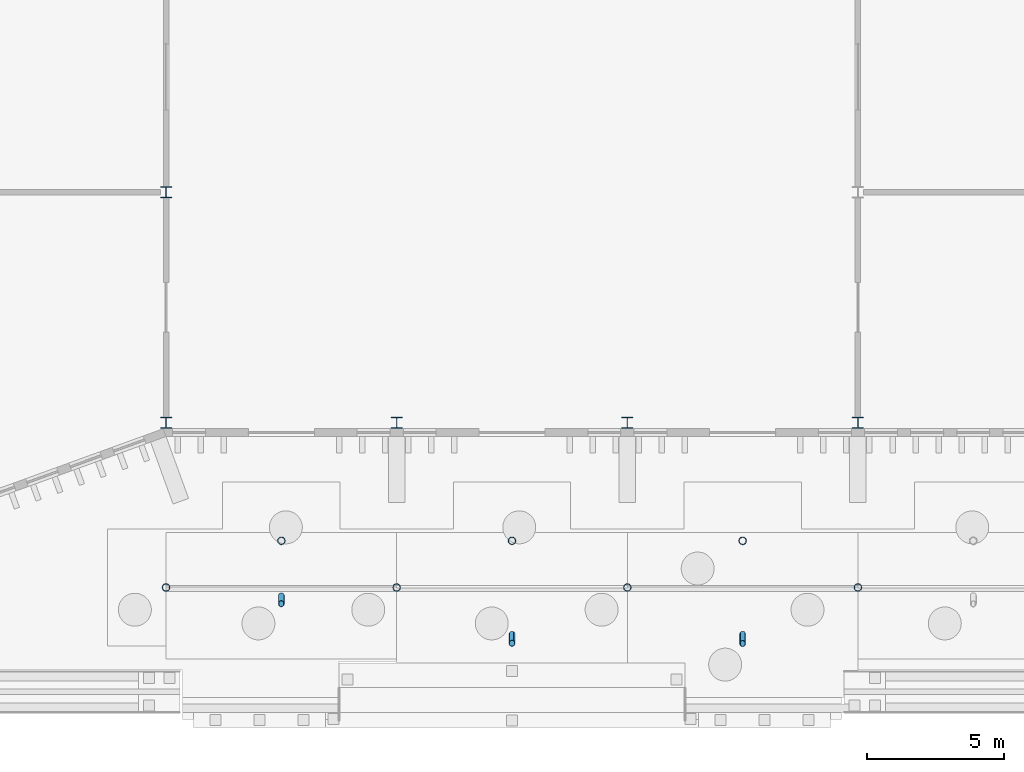
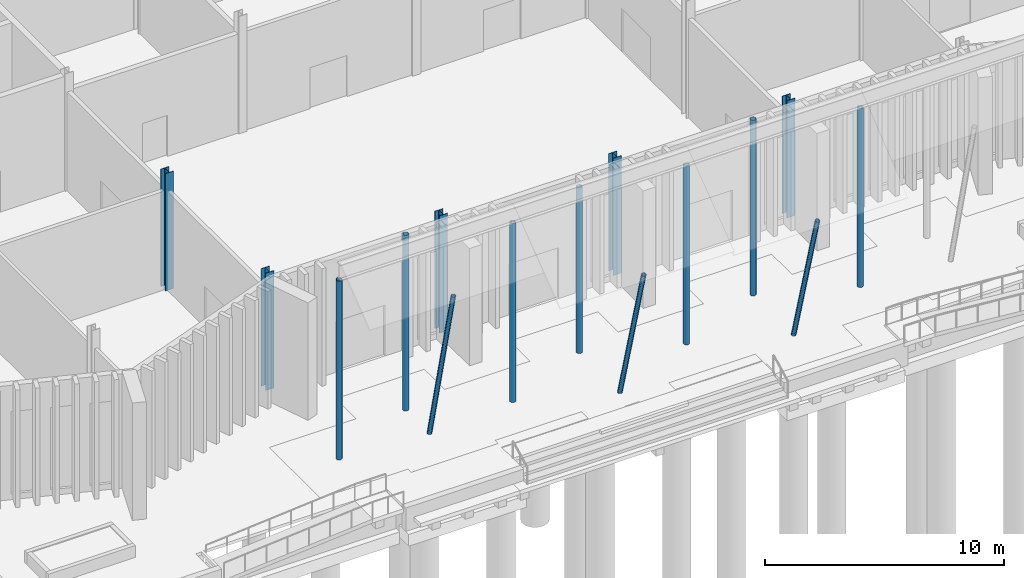
# One storey, part 16 of 108: 15 columns.
"""IFC4 building model written with IfcOpenShell, lengths in metres."""

import ifcopenshell
import ifcopenshell.guid

model = None  # the IFC model being written
_history = None  # IfcOwnerHistory: only IFC2X3 demands one
_inside = {}  # id of a spatial element -> (the spatial element, [elements in it])
_under = {}  # id of a project, library or spatial element -> (it, [spatial elements below it])
_declared = {}  # id of a project -> (the project, [libraries it declares])
_typed = {}  # id of a type object -> (the type object, [elements of that type])
_made_of = {}  # id of a material, layer set ... -> (it, [elements and type objects made of it])


def new_model(schema):
    """Start an empty IFC model of exactly this schema.

    Asked for "IFC4X3", IfcOpenShell would pick the latest addendum, in which some entities
    have other attributes; the version numbers below select the first issue.
    IFC2X3 requires an IfcOwnerHistory on every rooted entity: one is made here for all.
    """
    global model, _history
    if schema == "IFC4X3":
        model = ifcopenshell.file(schema_version=(4, 3, 0, 0))
    else:
        model = ifcopenshell.file(schema=schema)
    _inside.clear()
    _under.clear()
    _declared.clear()
    _typed.clear()
    _made_of.clear()
    _history = None
    if model.schema == "IFC2X3":
        org = make("IfcOrganization", Name="unknown")
        user = make(
            "IfcPersonAndOrganization",
            ThePerson=make("IfcPerson", FamilyName="unknown"),
            TheOrganization=org,
        )
        app = make(
            "IfcApplication",
            ApplicationDeveloper=org,
            Version="unknown",
            ApplicationFullName="unknown",
            ApplicationIdentifier="unknown",
        )
        _history = make(
            "IfcOwnerHistory",
            OwningUser=user,
            OwningApplication=app,
            ChangeAction="ADDED",
            CreationDate=0,
        )
    return model


def make(cls, **values):
    """One entity of the class cls with the attributes given. An attribute that is None is left unset."""
    return model.create_entity(
        cls, **{name: value for name, value in values.items() if value is not None}
    )


def rooted(cls, **values):
    """An entity with a GlobalId (a new one), such as an element, a storey or a relation."""
    return make(cls, GlobalId=ifcopenshell.guid.new(), OwnerHistory=_history, **values)


def si_unit(unit_type, name, prefix=None):
    """IfcSIUnit, for example si_unit("LENGTHUNIT", "METRE", prefix="MILLI")."""
    return make("IfcSIUnit", UnitType=unit_type, Prefix=prefix, Name=name)


def assignment(units):
    """IfcUnitAssignment: the units of a project."""
    return None if units is None else make("IfcUnitAssignment", Units=units)


def point(xyz):
    """IfcCartesianPoint."""
    return None if xyz is None else make("IfcCartesianPoint", Coordinates=xyz)


def direction(xyz):
    """IfcDirection."""
    return None if xyz is None else make("IfcDirection", DirectionRatios=xyz)


def frame(location, z_axis=None, x_axis=None):
    """IfcAxis2Placement3D, a coordinate frame: its origin and axes. An axis left out is left unset."""
    return make(
        "IfcAxis2Placement3D",
        Location=point(location),
        Axis=direction(z_axis),
        RefDirection=direction(x_axis),
    )


def frame_2d(location, x_axis=None):
    """IfcAxis2Placement2D, a coordinate frame in the plane: its origin and x axis."""
    return make(
        "IfcAxis2Placement2D", Location=point(location), RefDirection=direction(x_axis)
    )


def origin():
    """The frame at (0, 0, 0) with its axes left unset."""
    return frame((0.0, 0.0, 0.0))


def origin_2d():
    """The frame at (0, 0) in the plane with its x axis left unset."""
    return frame_2d((0.0, 0.0))


def place(relative_to, where):
    """IfcLocalPlacement: puts the frame where relative to a parent placement (None: the world)."""
    return make(
        "IfcLocalPlacement", PlacementRelTo=relative_to, RelativePlacement=where
    )


def context(
    kind, dimensions, precision=None, world=None, true_north=None, identifier=None
):
    """IfcGeometricRepresentationContext, for example the 3D "Model" context."""
    return make(
        "IfcGeometricRepresentationContext",
        ContextIdentifier=identifier,
        ContextType=kind,
        CoordinateSpaceDimension=dimensions,
        Precision=precision,
        WorldCoordinateSystem=world,
        TrueNorth=true_north,
    )


def subcontext(parent, identifier, kind, view, scale=None):
    """IfcGeometricRepresentationSubContext, for example "Body" below "Model"."""
    return make(
        "IfcGeometricRepresentationSubContext",
        ContextIdentifier=identifier,
        ContextType=kind,
        ParentContext=parent,
        TargetScale=scale,
        TargetView=view,
    )


def project(units=None, contexts=None):
    """IfcProject with its units and contexts."""
    return rooted(
        "IfcProject",
        Name="project",
        RepresentationContexts=contexts,
        UnitsInContext=assignment(units),
    )


def spatial(cls, under=None, at=None, **own):
    """A site, building, storey or space (cls), placed at a placement, below another one or the project."""
    s = rooted(cls, ObjectPlacement=at, **own)
    if under is not None:
        _under.setdefault(under.id(), (under, []))[1].append(s)
    return s


def profile(cls, at=None, kind="AREA", **sizes):
    """A parametric profile (cls). Its sizes go by their IFC names, for example OverallWidth=200.0."""
    return make(cls, ProfileType=kind, Position=at, **sizes)


def hollow_circle(**sizes):
    """IfcCircleHollowProfileDef."""
    return profile("IfcCircleHollowProfileDef", **sizes)


def i_section(**sizes):
    """IfcIShapeProfileDef."""
    return profile("IfcIShapeProfileDef", **sizes)


def extrude(swept, where, along, depth):
    """IfcExtrudedAreaSolid: the profile swept, set in the frame where, extruded along a direction by depth."""
    return make(
        "IfcExtrudedAreaSolid",
        SweptArea=swept,
        Position=where,
        ExtrudedDirection=direction(along),
        Depth=depth,
    )


def shape(context_of_items, identifier, shape_type, items):
    """IfcShapeRepresentation: the items that make up one representation, for example the "Body"."""
    return make(
        "IfcShapeRepresentation",
        ContextOfItems=context_of_items,
        RepresentationIdentifier=identifier,
        RepresentationType=shape_type,
        Items=items,
    )


def material(Name=None, Category=None):
    """IfcMaterial."""
    return make("IfcMaterial", Name=Name, Category=Category)


def material_profile(
    of_material, cross_section, Name=None, Category=None, Priority=None
):
    """IfcMaterialProfile: a cross section and its material."""
    return make(
        "IfcMaterialProfile",
        Name=Name,
        Material=of_material,
        Profile=cross_section,
        Priority=Priority,
        Category=Category,
    )


def profile_set(profiles, Name=None, composite=None):
    """IfcMaterialProfileSet."""
    return make(
        "IfcMaterialProfileSet",
        Name=Name,
        MaterialProfiles=profiles,
        CompositeProfile=composite,
    )


def made_of(thing, what):
    """Note that an element or type object is made of a material, layer set ...; save() writes the relation."""
    if what is not None:
        _made_of.setdefault(what.id(), (what, []))[1].append(thing)
    return thing


def type_object(cls, material=None, **own):
    """A type object (cls), such as IfcWallType, which elements share."""
    return made_of(rooted(cls, **own), material)


def element(
    cls,
    number,
    at=None,
    inside=None,
    cuts=None,
    type_object=None,
    material=None,
    context=None,
    identifier="Body",
    shape_type=None,
    held_by="IfcProductDefinitionShape",
    body=None,
    shapes=None,
    **own,
):
    """One element of the class cls, such as IfcWall. Its Tag is "e" and its number.

    at: its placement. inside: the storey or other place that contains it. cuts: it is an
    opening in that element (IfcRelVoidsElement). A single representation is given by context,
    identifier, shape_type and body (its items); several are given by shapes. held_by: the class
    of the entity that holds the representations. save() writes the other relations.
    """
    e = rooted(cls, Tag="e%d" % number, ObjectPlacement=at, **own)
    if body is not None:
        shapes = [shape(context, identifier, shape_type, body)]
    if shapes is not None:
        e.Representation = make(held_by, Representations=shapes)
    if inside is not None:
        _inside.setdefault(inside.id(), (inside, []))[1].append(e)
    if cuts is not None:
        rooted(
            "IfcRelVoidsElement", RelatingBuildingElement=cuts, RelatedOpeningElement=e
        )
    if type_object is not None:
        _typed.setdefault(type_object.id(), (type_object, []))[1].append(e)
    return made_of(e, material)


def aggregate(whole, parts):
    """IfcRelAggregates: a whole, such as a stair, and the parts it consists of."""
    return rooted("IfcRelAggregates", RelatingObject=whole, RelatedObjects=parts)


def save(model, path):
    """Write the relations noted so far, then the file.

    IfcRelAggregates (storeys below a building ...), IfcRelContainedInSpatialStructure (elements
    in a storey), IfcRelDefinesByType, IfcRelAssociatesMaterial and IfcRelDeclares: one each for
    every whole, place, type object, material and project.
    """
    for whole, parts in _under.values():
        aggregate(whole, parts)
    for where, things in _inside.values():
        rooted(
            "IfcRelContainedInSpatialStructure",
            RelatedElements=things,
            RelatingStructure=where,
        )
    for kind, things in _typed.values():
        rooted("IfcRelDefinesByType", RelatedObjects=things, RelatingType=kind)
    for what, things in _made_of.values():
        rooted("IfcRelAssociatesMaterial", RelatedObjects=things, RelatingMaterial=what)
    for by, libraries in _declared.values():
        rooted("IfcRelDeclares", RelatingContext=by, RelatedDefinitions=libraries)
    model.write(path)


model = new_model("IFC4")

# Units and contexts
model_context = context("Model", 3, precision=1e-05, world=origin(), true_north=direction((0.0, 1.0)))
body_context = subcontext(model_context, "Body", "Model", "MODEL_VIEW")
ifc_project = project(units=[si_unit("LENGTHUNIT", "METRE"), si_unit("AREAUNIT", "SQUARE_METRE"), si_unit("VOLUMEUNIT", "CUBIC_METRE"), si_unit("PLANEANGLEUNIT", "RADIAN"), si_unit("MASSUNIT", "GRAM", prefix="KILO")], contexts=[model_context])

# Site, building, storey
site_placement = place(None, origin())
site = spatial("IfcSite", under=ifc_project, at=site_placement, CompositionType="ELEMENT")
building_placement = place(site_placement, origin())
building = spatial("IfcBuilding", under=site, at=building_placement, Name="Cresset Court Congress Hotel", CompositionType="ELEMENT")
storey_placement = place(building_placement, origin())
storey = spatial("IfcBuildingStorey", under=building, at=storey_placement, Name="L00", CompositionType="ELEMENT", Elevation=0.0)

# Columns
ifc_material_1 = material(Name="Structural steel Q355B", Category="steel")
ifc_material_profile_1 = material_profile(ifc_material_1, hollow_circle(Radius=0.136474609375, WallThickness=0.011962890625, at=origin_2d()), Name="CHS273x12")
ifc_profile_set_1 = profile_set([ifc_material_profile_1], Name="Structural steel Q355B")
column_type_1 = type_object("IfcColumnType", Name="Forecourt canopy column CHS273x12", PredefinedType="COLUMN", material=ifc_profile_set_1)
for number, where, z_axis, x_axis, name in (
    (1, (67.199951171875, -6.0, 0.0), (0.0, 0.0, 1.0), (1.0, 0.0, 0.0), "Forecourt canopy column 1"),
    (2, (75.60009765625, -6.0, 0.0), (0.0, 0.0, 1.0), (1.0, 0.0, 0.0), "Forecourt canopy column 2"),
    (3, (84.0, -6.0, 0.0), (0.0, 0.0, 1.0), (1.0, 0.0, 0.0), "Forecourt canopy column 3"),
    (4, (92.39990234375, -6.0, 0.0), (0.0, 0.0, 1.0), (1.0, 0.0, 0.0), "Forecourt canopy column 4"),
):
    element("IfcColumn", number, at=place(storey_placement, frame(where, z_axis=z_axis, x_axis=x_axis)), inside=storey, type_object=column_type_1, Name=name, PredefinedType="COLUMN", context=body_context, shape_type="SweptSolid", body=[
        extrude(hollow_circle(Radius=0.136474609375, WallThickness=0.011962890625, at=origin_2d()), origin(), (0.0, 0.0, 1.0), 9.14990234375),
    ])
column_1_placement = place(storey_placement, frame((71.39990234375, -4.300048828125, 0.0), z_axis=(0.0, 0.0, 1.0), x_axis=(1.0, 0.0, 0.0)))
element("IfcColumn", 5, at=column_1_placement, inside=storey, type_object=column_type_1, Name="Forecourt canopy post 1", PredefinedType="COLUMN", context=body_context, shape_type="SweptSolid", body=[
    extrude(hollow_circle(Radius=0.136474609375, WallThickness=0.011962890625, at=origin_2d()), origin(), (0.0, 0.0, 1.0), 8.97998046875),
])
column_2_placement = place(storey_placement, frame((79.800048828125, -4.300048828125, 0.0), z_axis=(0.0, 0.0, 1.0), x_axis=(1.0, 0.0, 0.0)))
element("IfcColumn", 6, at=column_2_placement, inside=storey, type_object=column_type_1, Name="Forecourt canopy post 2", PredefinedType="COLUMN", context=body_context, shape_type="SweptSolid", body=[
    extrude(hollow_circle(Radius=0.136474609375, WallThickness=0.011962890625, at=origin_2d()), origin(), (0.0, 0.0, 1.0), 8.469970703125),
])
column_3_placement = place(storey_placement, frame((88.199951171875, -4.300048828125, 0.0), z_axis=(0.0, 0.0, 1.0), x_axis=(1.0, 0.0, 0.0)))
element("IfcColumn", 7, at=column_3_placement, inside=storey, type_object=column_type_1, Name="Forecourt canopy post 3", PredefinedType="COLUMN", context=body_context, shape_type="SweptSolid", body=[
    extrude(hollow_circle(Radius=0.136474609375, WallThickness=0.011962890625, at=origin_2d()), origin(), (0.0, 0.0, 1.0), 8.97998046875),
])
ifc_material_2 = material(Name="Structural steel Q355B", Category="steel")
ifc_material_profile_2 = material_profile(ifc_material_2, hollow_circle(Radius=0.109619140625, WallThickness=0.010009765625, at=origin_2d()), Name="CHS219x10")
ifc_profile_set_2 = profile_set([ifc_material_profile_2], Name="Structural steel Q355B")
column_type_2 = type_object("IfcColumnType", Name="Forecourt canopy strut CHS219x10", PredefinedType="COLUMN", material=ifc_profile_set_2)
column_4_placement = place(storey_placement, frame((71.39990234375, -6.300048828125, 0.0), z_axis=(0.0, -0.236121362932, 0.971723572817), x_axis=(1.0, 0.0, 0.0)))
element("IfcColumn", 8, at=column_4_placement, inside=storey, type_object=column_type_2, Name="Forecourt canopy raked strut 1", PredefinedType="COLUMN", context=body_context, shape_type="SweptSolid", body=[
    extrude(hollow_circle(Radius=0.109619140625, WallThickness=0.010009765625, at=origin_2d()), origin(), (0.0, 0.0, 1.0), 8.47021484375),
])
column_5_placement = place(storey_placement, frame((79.800048828125, -7.699951171875, 0.0), z_axis=(0.0, -0.266780431534, 0.963757335303), x_axis=(1.0, 0.0, 0.0)))
element("IfcColumn", 9, at=column_5_placement, inside=storey, type_object=column_type_2, Name="Forecourt canopy raked strut 2", PredefinedType="COLUMN", context=body_context, shape_type="SweptSolid", body=[
    extrude(hollow_circle(Radius=0.109619140625, WallThickness=0.010009765625, at=origin_2d()), origin(), (0.0, 0.0, 1.0), 7.496826171875),
])
column_6_placement = place(storey_placement, frame((88.199951171875, -7.699951171875, 0.0), z_axis=(0.0, -0.273275687121, 0.961935756082), x_axis=(1.0, 0.0, 0.0)))
element("IfcColumn", 10, at=column_6_placement, inside=storey, type_object=column_type_2, Name="Forecourt canopy raked strut 3", PredefinedType="COLUMN", context=body_context, shape_type="SweptSolid", body=[
    extrude(hollow_circle(Radius=0.109619140625, WallThickness=0.010009765625, at=origin_2d()), origin(), (0.0, 0.0, 1.0), 7.318603515625),
])
ifc_material_3 = material(Name="Structural steel Q355B", Category="steel")
ifc_material_profile_3 = material_profile(ifc_material_3, i_section(OverallWidth=0.39990234375, OverallDepth=0.39990234375, WebThickness=0.012939453125, FlangeThickness=0.02099609375, FilletRadius=0.02197265625, at=origin_2d()), Name="HW400x400x13x21")
ifc_profile_set_3 = profile_set([ifc_material_profile_3], Name="Structural steel Q355B")
column_type_3 = type_object("IfcColumnType", Name="Steel column HW400x400x13x21", PredefinedType="COLUMN", material=ifc_profile_set_3)
for number, where, z_axis, x_axis, name in (
    (11, (67.199951171875, 0.0, 0.0), (0.0, 0.0, 1.0), (1.0, 0.0, 0.0), "B.col.L00.09A"),
    (12, (67.199951171875, 8.39990234375, 0.0), (0.0, 0.0, 1.0), (1.0, 0.0, 0.0), "B.col.L00.09B"),
    (13, (75.60009765625, 0.0, 0.0), (0.0, 0.0, 1.0), (1.0, 0.0, 0.0), "B.col.L00.10A"),
    (14, (84.0, 0.0, 0.0), (0.0, 0.0, 1.0), (1.0, 0.0, 0.0), "B.col.L00.11A"),
    (15, (92.39990234375, 0.0, 0.0), (0.0, 0.0, 1.0), (1.0, 0.0, 0.0), "B.col.L00.12A"),
):
    element("IfcColumn", number, at=place(storey_placement, frame(where, z_axis=z_axis, x_axis=x_axis)), inside=storey, type_object=column_type_3, Name=name, PredefinedType="COLUMN", context=body_context, shape_type="SweptSolid", body=[
        extrude(i_section(OverallWidth=0.39990234375, OverallDepth=0.39990234375, WebThickness=0.012939453125, FlangeThickness=0.02099609375, FilletRadius=0.02197265625, at=origin_2d()), origin(), (0.0, 0.0, 1.0), 6.0),
    ])

save(model, "model.ifc")
